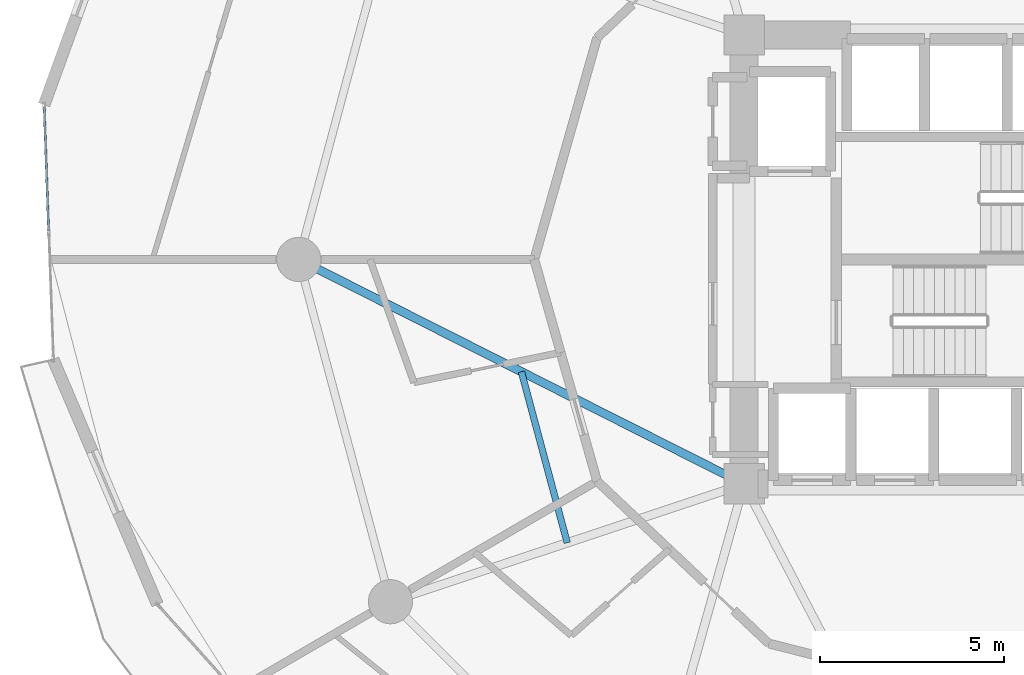
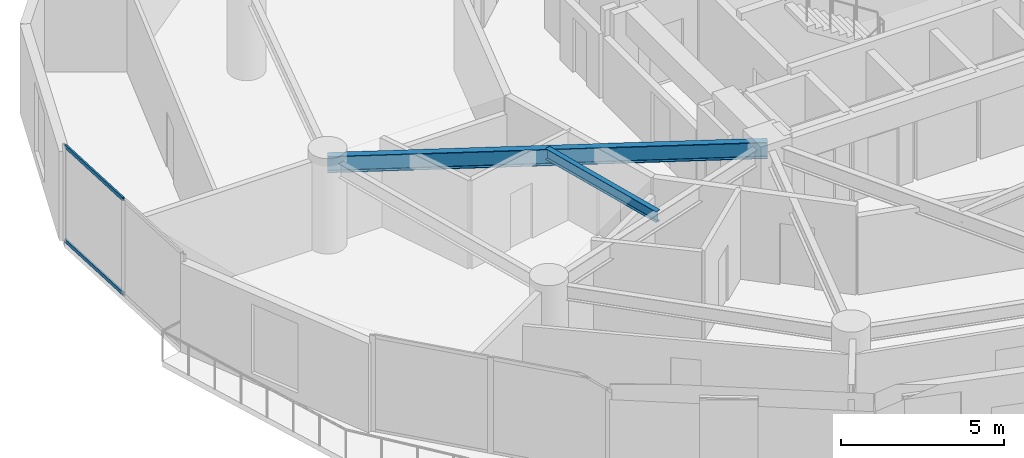
# One storey, part 5 of 23: 2 beams, 2 members, 1 element without a shape of its own.
"""IFC4 building model written with IfcOpenShell, lengths in metres."""

from ifc_helpers import new_model, si_unit, direction, frame, origin, origin_2d, place, context, subcontext, project, spatial, hollow_rectangle, i_section, extrude, source, transform, mapped, material, layer, layer_set, material_profile, profile_set, type_object, element, aggregate, save


model = new_model("IFC4")

# Units and contexts
model_context = context("Model", 3, precision=1e-05, world=origin(), true_north=direction((0.0, 1.0)))
body_context = subcontext(model_context, "Body", "Model", "MODEL_VIEW")
ifc_project = project(units=[si_unit("LENGTHUNIT", "METRE"), si_unit("AREAUNIT", "SQUARE_METRE"), si_unit("VOLUMEUNIT", "CUBIC_METRE"), si_unit("PLANEANGLEUNIT", "RADIAN"), si_unit("MASSUNIT", "GRAM", prefix="KILO")], contexts=[model_context])

# Site, building, storey
site_placement = place(None, origin())
site = spatial("IfcSite", under=ifc_project, at=site_placement, CompositionType="ELEMENT")
building_placement = place(site_placement, origin())
building = spatial("IfcBuilding", under=site, at=building_placement, Name="Solvirekh Grand Hotel", CompositionType="ELEMENT")
storey_placement = place(building_placement, frame((0.0, 0.0, 42.800048828125)))
storey = spatial("IfcBuildingStorey", under=building, at=storey_placement, Name="L09", CompositionType="ELEMENT", Elevation=42.800048828125)

# Beams
ifc_material_1 = material(Name="Steel S355", Category="steel")
ifc_material_profile_1 = material_profile(ifc_material_1, i_section(OverallWidth=0.22802734375, OverallDepth=0.616943359375, WebThickness=0.012939453125, FlangeThickness=0.02001953125, FilletRadius=0.014892578125, at=origin_2d()), Name="W610X140")
ifc_profile_set_1 = profile_set([ifc_material_profile_1], Name="Steel S355")
beam_type_1 = type_object("IfcBeamType", Name="Beam_Radial_W610", PredefinedType="BEAM", material=ifc_profile_set_1)
beam_1_placement = place(storey_placement, frame((-6.5, -6.10009765625, 3.031005859375), z_axis=(-0.892944939011, 0.450165898191, 0.0), x_axis=(-0.450165898191, -0.892944939011, 0.0)))
element("IfcBeam", 1, at=beam_1_placement, inside=storey, type_object=beam_type_1, Name="L09 radial floor beam R07", PredefinedType="BEAM", context=body_context, shape_type="SweptSolid", body=[
    extrude(i_section(OverallWidth=0.22802734375, OverallDepth=0.616943359375, WebThickness=0.012939453125, FlangeThickness=0.02001953125, FilletRadius=0.014892578125, at=origin_2d()), origin(), (0.0, 0.0, 1.0), 13.55078125),
])
ifc_material_profile_2 = material_profile(ifc_material_1, i_section(OverallWidth=0.177978515625, OverallDepth=0.406982421875, WebThickness=0.008056640625, FlangeThickness=0.011962890625, FilletRadius=0.011962890625, at=origin_2d()), Name="W410X60")
ifc_profile_set_2 = profile_set([ifc_material_profile_2], Name="Steel S355")
beam_type_2 = type_object("IfcBeamType", Name="Joist_Floor_W410", PredefinedType="JOIST", material=ifc_profile_set_2)
beam_2_placement = place(storey_placement, frame((-12.550048828125, -3.050048828125, 3.136962890625), z_axis=(0.258849313227, -0.965917715461, 0.0), x_axis=(0.965917715461, 0.258849313227, 0.0)))
element("IfcBeam", 2, at=beam_2_placement, inside=storey, type_object=beam_type_2, Name="L09 secondary composite floor joist 7", PredefinedType="JOIST", context=body_context, shape_type="SweptSolid", body=[
    extrude(i_section(OverallWidth=0.177978515625, OverallDepth=0.406982421875, WebThickness=0.008056640625, FlangeThickness=0.011962890625, FilletRadius=0.011962890625, at=origin_2d()), origin(), (0.0, 0.0, 1.0), 4.81396484375),
])

# Curtain wall, members
ifc_material_2 = material(Name="Anodized Bronze Aluminium 6063-T6", Category="aluminium")
ifc_layer = layer(ifc_material_2, 0.18994140625)
ifc_layer_set = layer_set([ifc_layer], Name="Anodized Bronze Aluminium 6063-T6")
curtain_wall_type = type_object("IfcCurtainWallType", Name="CW_Sys2_LowZoneFlushBronzeCW", PredefinedType="NOTDEFINED", material=ifc_layer_set)
curtain_wall_placement = place(storey_placement, origin())
curtain_wall = element("IfcCurtainWall", 3, at=curtain_wall_placement, inside=storey, type_object=curtain_wall_type, Name="L09 unitised bronze-glass curtain wall CW-L09-C11", PredefinedType="NOTDEFINED")
ifc_material_profile_3 = material_profile(ifc_material_2, hollow_rectangle(XDim=0.06005859375, YDim=0.135009765625, WallThickness=0.00390625, at=origin_2d()), Name="ALU RHS 135X60X4")
ifc_profile_set_3 = profile_set([ifc_material_profile_3], Name="Anodized Bronze Aluminium 6063-T6")
member_type = type_object("IfcMemberType", Name="CWTransom_Sys2", PredefinedType="USERDEFINED", material=ifc_profile_set_3)
shared_shape = source(origin(), body_context, "Body", "SweptSolid", [
    extrude(hollow_rectangle(XDim=0.06005859375, YDim=0.135009765625, WallThickness=0.00390625, at=origin_2d()), origin(), (0.0, 0.0, 1.0), 3.357666015625),
])
member_1_placement = place(storey_placement, frame((-25.5185546875, 4.135009765625, 0.030029296875), z_axis=(0.035701904798, -0.999362483783, 0.0), x_axis=(0.999362483783, 0.035701904798, 0.0)))
member_1 = element("IfcMember", 4, at=member_1_placement, type_object=member_type, Name="U02 transom 1.1", ObjectType="TRANSOM", PredefinedType="USERDEFINED", context=body_context, shape_type="MappedRepresentation", body=[
    mapped(shared_shape, transform((0.0, 0.0, 0.0), x_axis=(1.0, 0.0, 0.0), y_axis=(0.0, 1.0, 0.0), z_axis=(0.0, 0.0, 1.0), scale=1.0)),
])
member_2_placement = place(storey_placement, frame((-25.5185546875, 4.135009765625, 3.570068359375), z_axis=(0.035701904798, -0.999362483783, 0.0), x_axis=(0.999362483783, 0.035701904798, 0.0)))
member_2 = element("IfcMember", 5, at=member_2_placement, type_object=member_type, Name="U02 transom 1.2", ObjectType="TRANSOM", PredefinedType="USERDEFINED", context=body_context, shape_type="MappedRepresentation", body=[
    mapped(shared_shape, transform((0.0, 0.0, 0.0), x_axis=(1.0, 0.0, 0.0), y_axis=(0.0, 1.0, 0.0), z_axis=(0.0, 0.0, 1.0), scale=1.0)),
])
aggregate(curtain_wall, [member_1, member_2])

save(model, "model.ifc")
